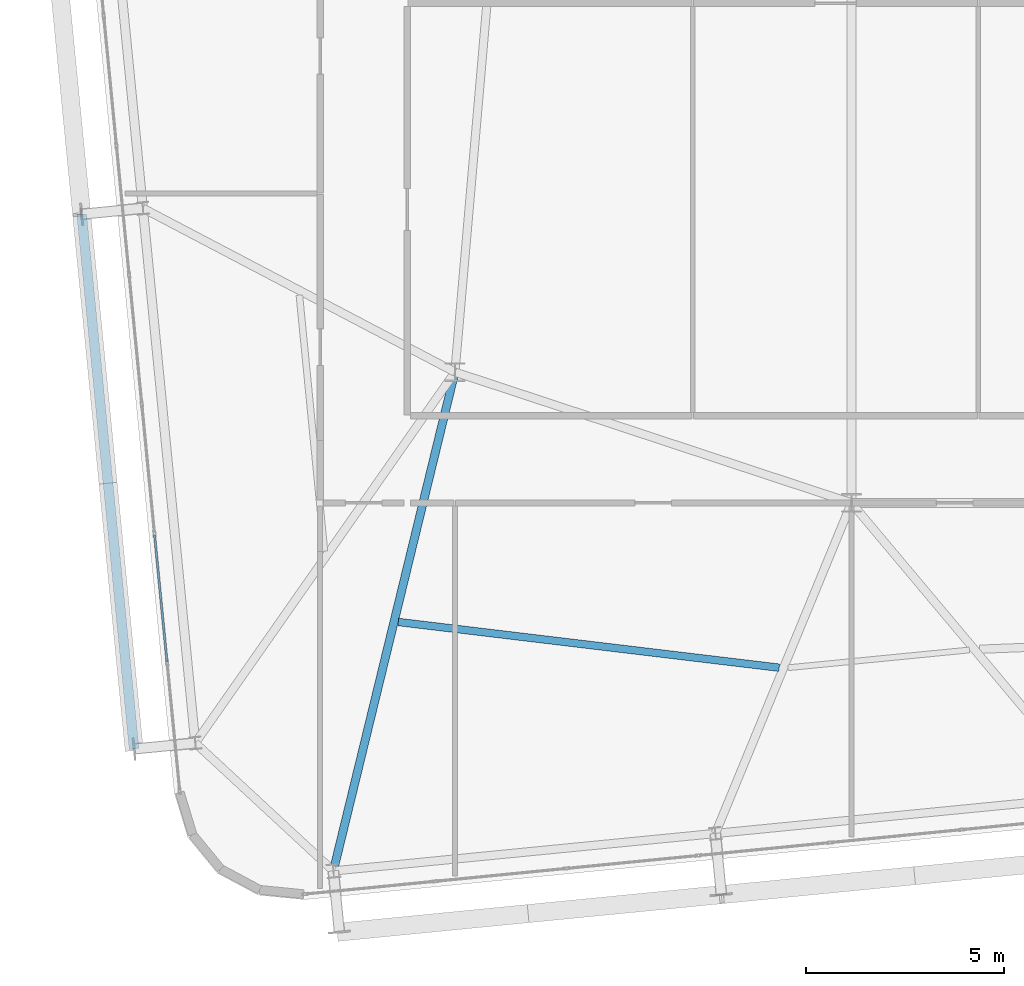
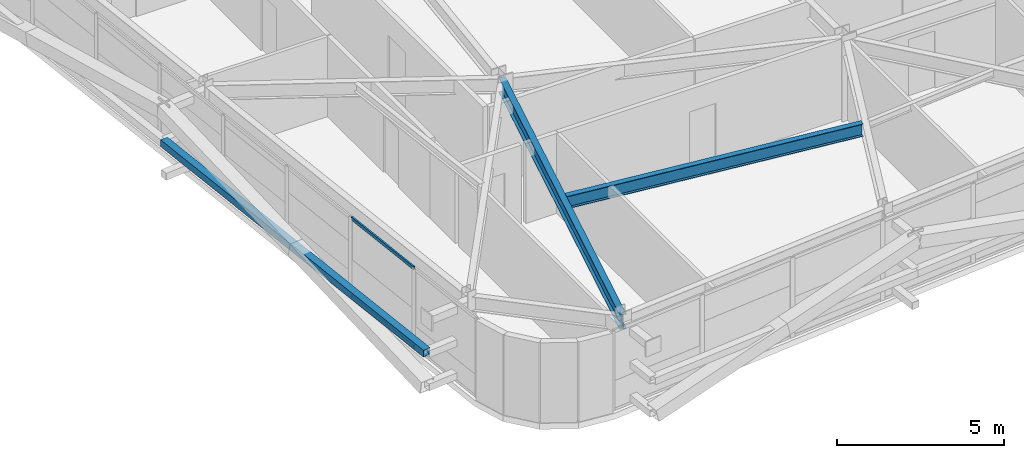
# One storey, part 7 of 52: 3 members, 2 beams, 1 element without a shape of its own.
"""IFC4 building model written with IfcOpenShell, lengths in metres."""

from ifc_helpers import new_model, si_unit, direction, frame, origin, origin_2d, place, context, subcontext, project, spatial, hollow_rectangle, i_section, extrude, source, transform, mapped, material, layer, layer_set, material_profile, profile_set, type_object, element, aggregate, save


model = new_model("IFC4")

# Units and contexts
model_context = context("Model", 3, precision=1e-05, world=origin(), true_north=direction((0.0, 1.0)))
body_context = subcontext(model_context, "Body", "Model", "MODEL_VIEW")
ifc_project = project(units=[si_unit("LENGTHUNIT", "METRE"), si_unit("AREAUNIT", "SQUARE_METRE"), si_unit("VOLUMEUNIT", "CUBIC_METRE"), si_unit("PLANEANGLEUNIT", "RADIAN"), si_unit("MASSUNIT", "GRAM", prefix="KILO")], contexts=[model_context])

# Site, building, storey
site_placement = place(None, origin())
site = spatial("IfcSite", under=ifc_project, at=site_placement, CompositionType="ELEMENT")
building_placement = place(site_placement, origin())
building = spatial("IfcBuilding", under=site, at=building_placement, Name="Taldren Reach Tower", CompositionType="ELEMENT")
storey_placement = place(building_placement, frame((0.0, 0.0, 93.449951171875)))
storey = spatial("IfcBuildingStorey", under=building, at=storey_placement, Name="L28", CompositionType="ELEMENT", Elevation=93.449951171875)

# Beams
ifc_material_1 = material(Name="Steel Gr 350 (350PLUS)", Category="steel")
ifc_material_profile_1 = material_profile(ifc_material_1, i_section(OverallWidth=0.208984375, OverallDepth=0.532958984375, WebThickness=0.01025390625, FlangeThickness=0.015625, at=origin_2d()), Name="530UB92.4")
ifc_profile_set_1 = profile_set([ifc_material_profile_1], Name="Steel Gr 350 (350PLUS)")
beam_type_1 = type_object("IfcBeamType", Name="BM-UB530A", PredefinedType="BEAM", material=ifc_profile_set_1)
shared_shape_1 = source(origin(), body_context, "Body", "SweptSolid", [
    extrude(i_section(OverallWidth=0.208984375, OverallDepth=0.532958984375, WebThickness=0.01025390625, FlangeThickness=0.015625, at=origin_2d()), origin(), (0.0, 0.0, 1.0), 12.947998046875),
])
beam_1_placement = place(storey_placement, frame((18.0, 12.5, 2.66357421875), z_axis=(-0.236786022782, -0.971561824803, 0.0), x_axis=(0.971561824803, -0.236786022782, 0.0)))
element("IfcBeam", 1, at=beam_1_placement, inside=storey, type_object=beam_type_1, Name="Primary floor girder B2-S1 L28", PredefinedType="BEAM", context=body_context, shape_type="MappedRepresentation", body=[
    mapped(shared_shape_1, transform((0.0, 0.0, 0.0), scale=1.0)),
])
ifc_material_profile_2 = material_profile(ifc_material_1, i_section(OverallWidth=0.19091796875, OverallDepth=0.4599609375, WebThickness=0.010009765625, FlangeThickness=0.01611328125, at=origin_2d()), Name="460UB82.1")
ifc_profile_set_2 = profile_set([ifc_material_profile_2], Name="Steel Gr 350 (350PLUS)")
beam_type_2 = type_object("IfcBeamType", Name="BM-UB460A", PredefinedType="BEAM", material=ifc_profile_set_2)
shared_shape_2 = source(origin(), body_context, "Body", "SweptSolid", [
    extrude(i_section(OverallWidth=0.19091796875, OverallDepth=0.4599609375, WebThickness=0.010009765625, FlangeThickness=0.01611328125, at=origin_2d()), origin(), (0.0, 0.0, 1.0), 9.673583984375),
])
beam_2_placement = place(storey_placement, frame((16.571533203125, 6.197509765625, 2.699951171875), z_axis=(0.992879584922, -0.119122331431, 0.0), x_axis=(0.119122331431, 0.992879584922, 0.0)))
element("IfcBeam", 2, at=beam_2_placement, inside=storey, type_object=beam_type_2, Name="Secondary floor beam B2 J1 L28", PredefinedType="BEAM", context=body_context, shape_type="MappedRepresentation", body=[
    mapped(shared_shape_2, transform((0.0, 0.0, 0.0), scale=1.0)),
])

# Member
ifc_material_2 = material(Name="Steel Gr 350 (C350L0)", Category="steel")
ifc_material_profile_3 = material_profile(ifc_material_2, hollow_rectangle(XDim=0.25, YDim=0.25, WallThickness=0.010009765625, at=origin_2d()), Name="250x250x10.0SHS")
ifc_profile_set_3 = profile_set([ifc_material_profile_3], Name="Steel Gr 350 (C350L0)")
member_type_1 = type_object("IfcMemberType", Name="MB-POST250", PredefinedType="POST", material=ifc_profile_set_3)
shared_shape_3 = source(origin(), body_context, "Body", "SweptSolid", [
    extrude(hollow_rectangle(XDim=0.25, YDim=0.25, WallThickness=0.010009765625, at=origin_2d()), origin(), (0.0, 0.0, 1.0), 13.5498046875),
])
member_1_placement = place(storey_placement, frame((9.91015625, 2.99462890625, 1.43505859375), z_axis=(-0.097585771221, 0.995227118428, 0.0), x_axis=(-0.995227118428, -0.097585771221, 0.0)))
element("IfcMember", 3, at=member_1_placement, inside=storey, type_object=member_type_1, Name="Exoskeleton mid-height ring chord B2-W1 L28", PredefinedType="POST", context=body_context, shape_type="MappedRepresentation", body=[
    mapped(shared_shape_3, transform((0.0, 0.0, 0.0), scale=1.0)),
])

# Curtain wall, members
ifc_material_3 = material(Name="Aluminium and Low-E Glass Unitised System", Category="aluminium")
ifc_layer = layer(ifc_material_3, 0.159912109375)
ifc_layer_set = layer_set([ifc_layer], Name="Aluminium and Low-E Glass Unitised System")
curtain_wall_type = type_object("IfcCurtainWallType", Name="CW-SYS-3", PredefinedType="NOTDEFINED", material=ifc_layer_set)
curtain_wall_placement = place(storey_placement, origin())
curtain_wall = element("IfcCurtainWall", 4, at=curtain_wall_placement, inside=storey, type_object=curtain_wall_type, Name="Unitised curtain wall CW-L28-W", PredefinedType="NOTDEFINED")
ifc_material_4 = material(Name="Anodised Aluminium 6063-T6", Category="aluminium")
ifc_material_profile_4 = material_profile(ifc_material_4, hollow_rectangle(XDim=0.054931640625, YDim=0.1201171875, WallThickness=0.0029296875, at=origin_2d()), Name="ALU-120x55x3RHS")
ifc_profile_set_4 = profile_set([ifc_material_profile_4], Name="Anodised Aluminium 6063-T6")
member_type_2 = type_object("IfcMemberType", Name="CW-TRN-135", PredefinedType="USERDEFINED", material=ifc_profile_set_4)
shared_shape_4 = source(origin(), body_context, "Body", "SweptSolid", [
    extrude(hollow_rectangle(XDim=0.054931640625, YDim=0.1201171875, WallThickness=0.0029296875, at=origin_2d()), origin(), (0.0, 0.0, 1.0), 3.212646484375),
])
member_2_placement = place(storey_placement, frame((10.42578125, 8.3935546875, 0.027587890625), z_axis=(0.097577327663, -0.995227946315, 0.0), x_axis=(0.995227946315, 0.097577327663, 0.0)))
member_2 = element("IfcMember", 5, at=member_2_placement, type_object=member_type_2, Name="CW-3 transom 8.1", ObjectType="TRANSOM", PredefinedType="USERDEFINED", context=body_context, shape_type="MappedRepresentation", body=[
    mapped(shared_shape_4, transform((0.0, 0.0, 0.0), scale=1.0)),
])
member_3_placement = place(storey_placement, frame((10.42578125, 8.3935546875, 2.902587890625), z_axis=(0.097577327663, -0.995227946315, 0.0), x_axis=(0.995227946315, 0.097577327663, 0.0)))
member_3 = element("IfcMember", 6, at=member_3_placement, type_object=member_type_2, Name="CW-3 transom 8.2", ObjectType="TRANSOM", PredefinedType="USERDEFINED", context=body_context, shape_type="MappedRepresentation", body=[
    mapped(shared_shape_4, transform((0.0, 0.0, 0.0), scale=1.0)),
])
aggregate(curtain_wall, [member_2, member_3])

save(model, "model.ifc")
